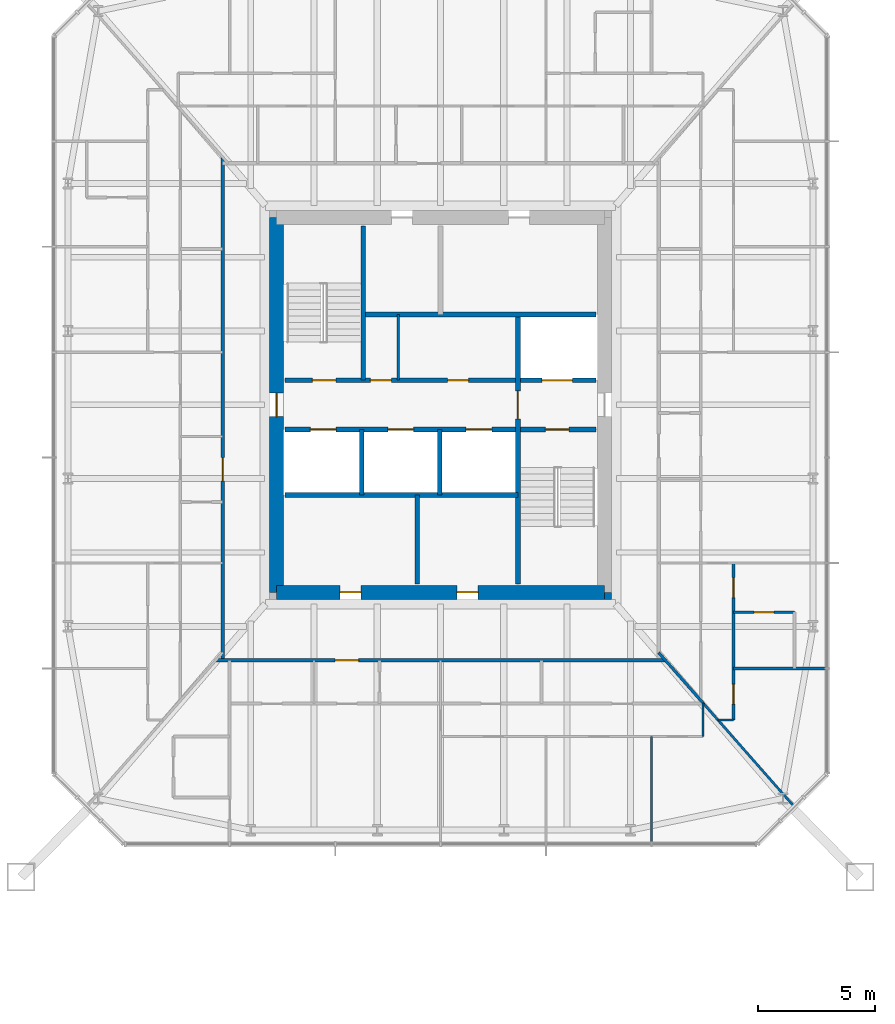
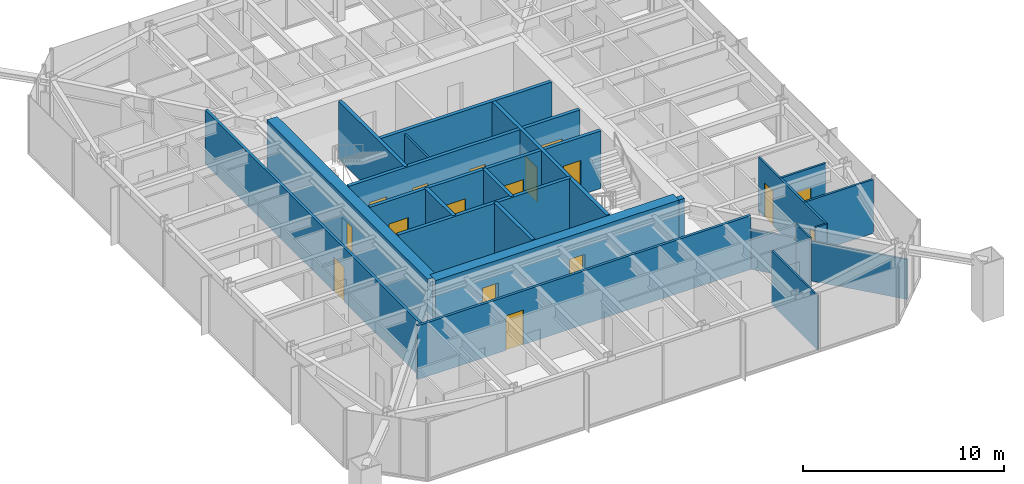
# One storey, part 19 of 26: 23 walls, 17 doors, 17 openings.
"""IFC4 building model written with IfcOpenShell, lengths in metres."""

from ifc_helpers import new_model, si_unit, direction, frame, frame_2d, origin, place, context, subcontext, project, spatial, rectangle, extrude, material, layer, layer_set, type_object, element, fill, save


model = new_model("IFC4")

# Units and contexts
model_context = context("Model", 3, precision=1e-05, world=origin(), true_north=direction((0.0, 1.0)))
body_context = subcontext(model_context, "Body", "Model", "MODEL_VIEW")
ifc_project = project(units=[si_unit("LENGTHUNIT", "METRE"), si_unit("AREAUNIT", "SQUARE_METRE"), si_unit("VOLUMEUNIT", "CUBIC_METRE"), si_unit("PLANEANGLEUNIT", "RADIAN"), si_unit("MASSUNIT", "GRAM", prefix="KILO")], contexts=[model_context])

# Site, building, storey
site_placement = place(None, origin())
site = spatial("IfcSite", under=ifc_project, at=site_placement, CompositionType="ELEMENT")
building_placement = place(site_placement, origin())
building = spatial("IfcBuilding", under=site, at=building_placement, Name="Iwan Alto Co-Living Towers", CompositionType="ELEMENT")
storey_placement = place(building_placement, frame((0.0, 0.0, 22.0)))
storey = spatial("IfcBuildingStorey", under=building, at=storey_placement, Name="L05", CompositionType="ELEMENT", Elevation=22.0)

# Wall, opening, door
ifc_material_1 = material(Name="Gypsum board")
ifc_layer_1 = layer(ifc_material_1, 0.02490234375, Name="Board", Category="Finish")
ifc_material_2 = material(Name="Steel ASTM A1003 ST33H cold-formed studs", Category="steel")
ifc_layer_2 = layer(ifc_material_2, 0.10009765625, Name="Studs", Category="Framing")
ifc_layer_3 = layer(ifc_material_1, 0.02490234375, Name="Board", Category="Finish")
ifc_layer_set_1 = layer_set([ifc_layer_1, ifc_layer_2, ifc_layer_3], Name="CORRIDOR WALL 150")
wall_type_1 = type_object("IfcWallType", Name="CORRIDOR WALL 150", PredefinedType="PARTITIONING", material=ifc_layer_set_1)
wall_1_placement = place(storey_placement, frame((53.407958984375, -10.89990234375, 0.0), z_axis=(0.0, 0.0, 1.0), x_axis=(1.0, 0.0, 0.0)))
wall_1 = element("IfcWall", 1, at=wall_1_placement, inside=storey, type_object=wall_type_1, Name="Partition L05", PredefinedType="PARTITIONING", context=body_context, shape_type="SweptSolid", body=[
    extrude(rectangle(XDim=19.18408203125, YDim=0.14990234375, at=frame_2d((9.592041015625, 0.0))), origin(), (0.0, 0.0, 1.0), 3.27001953125),
])
opening_1_placement = place(wall_1_placement, frame((5.092041015625, 0.0, 0.0)))
opening_1 = element("IfcOpeningElement", 2, at=opening_1_placement, cuts=wall_1, Name="Opening D3", PredefinedType="OPENING", context=body_context, shape_type="SweptSolid", body=[
    extrude(rectangle(XDim=1.0, YDim=2.10009765625, at=frame_2d((0.5, 1.050048828125))), frame((0.0, 0.0849609375, 0.0), z_axis=(0.0, -1.0, 0.0), x_axis=(1.0, 0.0, 0.0)), (0.0, 0.0, 1.0), 0.169921875),
])
ifc_material_3 = material(Name="Steel frame with timber leaf", Category="steel")
door_type_1 = type_object("IfcDoorType", Name="FLAT ENTRANCE DOOR FD30S 1000X2100", OperationType="SINGLE_SWING_LEFT", PredefinedType="DOOR", material=ifc_material_3)
door_1_placement = place(opening_1_placement, frame((1.0, 0.0, 0.0), z_axis=(0.0, 0.0, 1.0), x_axis=(-1.0, 0.0, 0.0)))
door_1 = element("IfcDoor", 3, at=door_1_placement, inside=storey, type_object=door_type_1, Name="Apartment foyer door L05", OperationType="SINGLE_SWING_RIGHT", OverallHeight=2.10009765625, OverallWidth=1.0, PredefinedType="DOOR", context=body_context, shape_type="SweptSolid", body=[
    extrude(rectangle(XDim=1.0, YDim=2.10009765625, at=frame_2d((0.5, 1.050048828125))), frame((0.0, 0.02490234375, 0.0), z_axis=(0.0, -1.0, 0.0), x_axis=(1.0, 0.0, 0.0)), (0.0, 0.0, 1.0), 0.050048828125),
])
fill(opening_1, door_1)

wall_2_placement = place(storey_placement, frame((53.699951171875, -10.89990234375, 0.0), z_axis=(0.0, 0.0, 1.0), x_axis=(0.0, 1.0, 0.0)))
wall_2 = element("IfcWall", 4, at=wall_2_placement, inside=storey, type_object=wall_type_1, Name="Partition L05", PredefinedType="PARTITIONING", context=body_context, shape_type="SweptSolid", body=[
    extrude(rectangle(XDim=21.468017578125, YDim=0.14990234375, at=frame_2d((10.73388671875, 0.0))), origin(), (0.0, 0.0, 1.0), 3.27001953125),
])
opening_2_placement = place(wall_2_placement, frame((7.64990234375, 0.0, 0.0)))
opening_2 = element("IfcOpeningElement", 5, at=opening_2_placement, cuts=wall_2, Name="Opening D3", PredefinedType="OPENING", context=body_context, shape_type="SweptSolid", body=[
    extrude(rectangle(XDim=1.0, YDim=2.10009765625, at=frame_2d((0.5, 1.050048828125))), frame((0.0, 0.0849609375, 0.0), z_axis=(0.0, -1.0, 0.0), x_axis=(1.0, 0.0, 0.0)), (0.0, 0.0, 1.0), 0.169921875),
])
door_2_placement = place(opening_2_placement, origin())
door_2 = element("IfcDoor", 6, at=door_2_placement, inside=storey, type_object=door_type_1, Name="Apartment foyer door L05", OperationType="SINGLE_SWING_LEFT", OverallHeight=2.10009765625, OverallWidth=1.0, PredefinedType="DOOR", context=body_context, shape_type="SweptSolid", body=[
    extrude(rectangle(XDim=1.0, YDim=2.10009765625, at=frame_2d((0.5, 1.050048828125))), frame((0.0, 0.02490234375, 0.0), z_axis=(0.0, -1.0, 0.0), x_axis=(1.0, 0.0, 0.0)), (0.0, 0.0, 1.0), 0.050048828125),
])
fill(opening_2, door_2)

# Walls
ifc_layer_4 = layer(ifc_material_1, 0.012451171875, Name="Board", Category="Finish")
ifc_layer_5 = layer(ifc_material_2, 0.074951171875, Name="Studs", Category="Framing")
ifc_layer_6 = layer(ifc_material_1, 0.012451171875, Name="Board", Category="Finish")
ifc_layer_set_2 = layer_set([ifc_layer_4, ifc_layer_5, ifc_layer_6], Name="PARTITION 100")
wall_type_2 = type_object("IfcWallType", Name="PARTITION 100", PredefinedType="PARTITIONING", material=ifc_layer_set_2)
wall_3_placement = place(storey_placement, frame((74.8359375, -13.449951171875, 0.0), z_axis=(0.0, 0.0, 1.0), x_axis=(1.0, 0.0, 0.0)))
element("IfcWall", 7, at=wall_3_placement, inside=storey, type_object=wall_type_2, Name="Partition L05", PredefinedType="PARTITIONING", context=body_context, shape_type="SweptSolid", body=[
    extrude(rectangle(XDim=0.6640625, YDim=0.10009765625, at=frame_2d((0.33203125, 0.0))), origin(), (0.0, 0.0, 1.0), 3.27001953125),
])
wall_4_placement = place(storey_placement, frame((74.199951171875, -14.14990234375, 0.0), z_axis=(0.0, 0.0, 1.0), x_axis=(0.0, 1.0, 0.0)))
element("IfcWall", 8, at=wall_4_placement, inside=storey, type_object=wall_type_2, Name="Partition L05", PredefinedType="PARTITIONING", context=body_context, shape_type="SweptSolid", body=[
    extrude(rectangle(XDim=1.4228515625, YDim=0.10009765625, at=frame_2d((0.71142578125, 0.0))), origin(), (0.0, 0.0, 1.0), 3.27001953125),
])
wall_5_placement = place(storey_placement, frame((72.0, -18.68994140625, 0.0), z_axis=(0.0, 0.0, 1.0), x_axis=(0.0, 1.0, 0.0)))
element("IfcWall", 9, at=wall_5_placement, inside=storey, type_object=wall_type_2, Name="Partition L05", PredefinedType="PARTITIONING", context=body_context, shape_type="SweptSolid", body=[
    extrude(rectangle(XDim=4.5400390625, YDim=0.10009765625, at=frame_2d((2.27001953125, 0.0))), origin(), (0.0, 0.0, 1.0), 3.27001953125),
])
wall_6_placement = place(storey_placement, frame((61.199951171875, 1.050048828125, 0.0), z_axis=(0.0, 0.0, 1.0), x_axis=(0.0, 1.0, 0.0)))
element("IfcWall", 10, at=wall_6_placement, inside=storey, type_object=wall_type_2, Name="Partition L05", PredefinedType="PARTITIONING", context=body_context, shape_type="SweptSolid", body=[
    extrude(rectangle(XDim=2.800048828125, YDim=0.10009765625, at=frame_2d((1.39990234375, 0.0))), origin(), (0.0, 0.0, 1.0), 3.300048828125),
])
wall_7_placement = place(storey_placement, frame((78.056640625, -17.109375, 0.0), z_axis=(0.0, 0.0, 1.0), x_axis=(-0.660654290516, 0.750690287951, 0.0)))
element("IfcWall", 11, at=wall_7_placement, inside=storey, type_object=wall_type_2, Name="Partition L05", PredefinedType="PARTITIONING", context=body_context, shape_type="SweptSolid", body=[
    extrude(rectangle(XDim=5.838134765625, YDim=0.10009765625, at=frame_2d((2.9189453125, 0.0))), origin(), (0.0, 0.0, 1.0), 2.42919921875),
])
ifc_material_4 = material(Name="Concrete f'c 70 MPa", Category="concrete")
ifc_layer_7 = layer(ifc_material_4, 0.199951171875)
ifc_layer_set_3 = layer_set([ifc_layer_7], Name="SHAFT WALL 200")
wall_type_3 = type_object("IfcWallType", Name="SHAFT WALL 200", PredefinedType="SOLIDWALL", material=ifc_layer_set_3)
wall_8_placement = place(storey_placement, frame((56.360107421875, -3.85009765625, 0.0), z_axis=(0.0, 0.0, 1.0), x_axis=(1.0, 0.0, 0.0)))
element("IfcWall", 12, at=wall_8_placement, inside=storey, type_object=wall_type_3, Name="Shaft wall L05", PredefinedType="SOLIDWALL", context=body_context, shape_type="SweptSolid", body=[
    extrude(rectangle(XDim=9.93994140625, YDim=0.199951171875, at=frame_2d((4.969970703125, 0.0))), origin(), (0.0, 0.0, 1.0), 3.5),
])

# Wall, openings, doors
wall_9_placement = place(storey_placement, frame((56.360107421875, -1.050048828125, 0.0), z_axis=(0.0, 0.0, 1.0), x_axis=(1.0, 0.0, 0.0)))
wall_9 = element("IfcWall", 13, at=wall_9_placement, inside=storey, type_object=wall_type_3, Name="Shaft wall L05", PredefinedType="SOLIDWALL", context=body_context, shape_type="SweptSolid", body=[
    extrude(rectangle(XDim=13.27978515625, YDim=0.199951171875, at=frame_2d((6.639892578125, 0.0))), origin(), (0.0, 0.0, 1.0), 3.5),
])
opening_3_placement = place(wall_9_placement, frame((11.110107421875, 0.0, 0.0)))
opening_3 = element("IfcOpeningElement", 14, at=opening_3_placement, cuts=wall_9, Name="Opening D5", PredefinedType="OPENING", context=body_context, shape_type="SweptSolid", body=[
    extrude(rectangle(XDim=1.0, YDim=2.10009765625, at=frame_2d((0.5, 1.050048828125))), frame((0.0, 0.10986328125, 0.0), z_axis=(0.0, -1.0, 0.0), x_axis=(1.0, 0.0, 0.0)), (0.0, 0.0, 1.0), 0.219970703125),
])
opening_4_placement = place(wall_9_placement, frame((1.0869140625, 0.0, 0.0)))
opening_4 = element("IfcOpeningElement", 15, at=opening_4_placement, cuts=wall_9, Name="Opening LD", PredefinedType="OPENING", context=body_context, shape_type="SweptSolid", body=[
    extrude(rectangle(XDim=1.10009765625, YDim=2.10009765625, at=frame_2d((0.550048828125, 1.050048828125))), frame((0.0, 0.10986328125, 0.0), z_axis=(0.0, -1.0, 0.0), x_axis=(1.0, 0.0, 0.0)), (0.0, 0.0, 1.0), 0.219970703125),
])
opening_5_placement = place(wall_9_placement, frame((4.389892578125, 0.0, 0.0)))
opening_5 = element("IfcOpeningElement", 16, at=opening_5_placement, cuts=wall_9, Name="Opening LD", PredefinedType="OPENING", context=body_context, shape_type="SweptSolid", body=[
    extrude(rectangle(XDim=1.10009765625, YDim=2.10009765625, at=frame_2d((0.550048828125, 1.050048828125))), frame((0.0, 0.10986328125, 0.0), z_axis=(0.0, -1.0, 0.0), x_axis=(1.0, 0.0, 0.0)), (0.0, 0.0, 1.0), 0.219970703125),
])
opening_6_placement = place(wall_9_placement, frame((7.72412109375, 0.0, 0.0)))
opening_6 = element("IfcOpeningElement", 17, at=opening_6_placement, cuts=wall_9, Name="Opening LD", PredefinedType="OPENING", context=body_context, shape_type="SweptSolid", body=[
    extrude(rectangle(XDim=1.10009765625, YDim=2.10009765625, at=frame_2d((0.550048828125, 1.050048828125))), frame((0.0, 0.10986328125, 0.0), z_axis=(0.0, -1.0, 0.0), x_axis=(1.0, 0.0, 0.0)), (0.0, 0.0, 1.0), 0.219970703125),
])
ifc_material_5 = material(Name="Steel frame with timber leaf", Category="steel")
door_type_2 = type_object("IfcDoorType", Name="LIFT LANDING DOOR 1100X2100", OperationType="DOUBLE_DOOR_SLIDING", PredefinedType="DOOR", material=ifc_material_5)
door_3_placement = place(opening_4_placement, origin())
door_3 = element("IfcDoor", 18, at=door_3_placement, inside=storey, type_object=door_type_2, Name="Lift P5-1 landing door L05", OperationType="DOUBLE_DOOR_SLIDING", OverallHeight=2.10009765625, OverallWidth=1.10009765625, PredefinedType="DOOR", context=body_context, shape_type="SweptSolid", body=[
    extrude(rectangle(XDim=1.10009765625, YDim=2.10009765625, at=frame_2d((0.550048828125, 1.050048828125))), frame((0.0, 0.02490234375, 0.0), z_axis=(0.0, -1.0, 0.0), x_axis=(1.0, 0.0, 0.0)), (0.0, 0.0, 1.0), 0.050048828125),
])
fill(opening_4, door_3)
door_4_placement = place(opening_5_placement, origin())
door_4 = element("IfcDoor", 19, at=door_4_placement, inside=storey, type_object=door_type_2, Name="Lift P5-2 landing door L05", OperationType="DOUBLE_DOOR_SLIDING", OverallHeight=2.10009765625, OverallWidth=1.10009765625, PredefinedType="DOOR", context=body_context, shape_type="SweptSolid", body=[
    extrude(rectangle(XDim=1.10009765625, YDim=2.10009765625, at=frame_2d((0.550048828125, 1.050048828125))), frame((0.0, 0.02490234375, 0.0), z_axis=(0.0, -1.0, 0.0), x_axis=(1.0, 0.0, 0.0)), (0.0, 0.0, 1.0), 0.050048828125),
])
fill(opening_5, door_4)
door_5_placement = place(opening_6_placement, origin())
door_5 = element("IfcDoor", 20, at=door_5_placement, inside=storey, type_object=door_type_2, Name="Lift P6-3 landing door L05", OperationType="DOUBLE_DOOR_SLIDING", OverallHeight=2.10009765625, OverallWidth=1.10009765625, PredefinedType="DOOR", context=body_context, shape_type="SweptSolid", body=[
    extrude(rectangle(XDim=1.10009765625, YDim=2.10009765625, at=frame_2d((0.550048828125, 1.050048828125))), frame((0.0, 0.02490234375, 0.0), z_axis=(0.0, -1.0, 0.0), x_axis=(1.0, 0.0, 0.0)), (0.0, 0.0, 1.0), 0.050048828125),
])
fill(opening_6, door_5)
ifc_material_6 = material(Name="Steel frame with timber leaf", Category="steel")
door_type_3 = type_object("IfcDoorType", Name="STAIR DOOR FD120S 1000X2100", OperationType="SINGLE_SWING_LEFT", PredefinedType="DOOR", material=ifc_material_6)
door_6_placement = place(opening_3_placement, frame((1.0, 0.0, 0.0), z_axis=(0.0, 0.0, 1.0), x_axis=(-1.0, 0.0, 0.0)))
door_6 = element("IfcDoor", 21, at=door_6_placement, inside=storey, type_object=door_type_3, Name="Stair S2 door L05", OperationType="SINGLE_SWING_RIGHT", OverallHeight=2.10009765625, OverallWidth=1.0, PredefinedType="DOOR", context=body_context, shape_type="SweptSolid", body=[
    extrude(rectangle(XDim=1.0, YDim=2.10009765625, at=frame_2d((0.5, 1.050048828125))), frame((0.0, 0.02490234375, 0.0), z_axis=(0.0, -1.0, 0.0), x_axis=(1.0, 0.0, 0.0)), (0.0, 0.0, 1.0), 0.050048828125),
])
fill(opening_3, door_6)

wall_10_placement = place(storey_placement, frame((56.360107421875, 1.050048828125, 0.0), z_axis=(0.0, 0.0, 1.0), x_axis=(1.0, 0.0, 0.0)))
wall_10 = element("IfcWall", 22, at=wall_10_placement, inside=storey, type_object=wall_type_3, Name="Shaft wall L05", PredefinedType="SOLIDWALL", context=body_context, shape_type="SweptSolid", body=[
    extrude(rectangle(XDim=13.27978515625, YDim=0.199951171875, at=frame_2d((6.639892578125, 0.0))), origin(), (0.0, 0.0, 1.0), 3.5),
])
opening_7_placement = place(wall_10_placement, frame((1.169921875, 0.0, 0.0)))
opening_7 = element("IfcOpeningElement", 23, at=opening_7_placement, cuts=wall_10, Name="Opening D5", PredefinedType="OPENING", context=body_context, shape_type="SweptSolid", body=[
    extrude(rectangle(XDim=1.0, YDim=2.10009765625, at=frame_2d((0.5, 1.050048828125))), frame((0.0, 0.10986328125, 0.0), z_axis=(0.0, -1.0, 0.0), x_axis=(1.0, 0.0, 0.0)), (0.0, 0.0, 1.0), 0.219970703125),
])
opening_8_placement = place(wall_10_placement, frame((6.93994140625, 0.0, 0.0)))
opening_8 = element("IfcOpeningElement", 24, at=opening_8_placement, cuts=wall_10, Name="Opening D8", PredefinedType="OPENING", context=body_context, shape_type="SweptSolid", body=[
    extrude(rectangle(XDim=0.89990234375, YDim=2.10009765625, at=frame_2d((0.449951171875, 1.050048828125))), frame((0.0, 0.10986328125, 0.0), z_axis=(0.0, -1.0, 0.0), x_axis=(1.0, 0.0, 0.0)), (0.0, 0.0, 1.0), 0.219970703125),
])
opening_9_placement = place(wall_10_placement, frame((3.639892578125, 0.0, 0.0)))
opening_9 = element("IfcOpeningElement", 25, at=opening_9_placement, cuts=wall_10, Name="Opening D15", PredefinedType="OPENING", context=body_context, shape_type="SweptSolid", body=[
    extrude(rectangle(XDim=0.89990234375, YDim=2.10009765625, at=frame_2d((0.449951171875, 1.050048828125))), frame((0.0, 0.10986328125, 0.0), z_axis=(0.0, -1.0, 0.0), x_axis=(1.0, 0.0, 0.0)), (0.0, 0.0, 1.0), 0.219970703125),
])
opening_10_placement = place(wall_10_placement, frame((10.9599609375, 0.0, 0.0)))
opening_10 = element("IfcOpeningElement", 26, at=opening_10_placement, cuts=wall_10, Name="Opening LD2", PredefinedType="OPENING", context=body_context, shape_type="SweptSolid", body=[
    extrude(rectangle(XDim=1.300048828125, YDim=2.10009765625, at=frame_2d((0.64990234375, 1.050048828125))), frame((0.0, 0.10986328125, 0.0), z_axis=(0.0, -1.0, 0.0), x_axis=(1.0, 0.0, 0.0)), (0.0, 0.0, 1.0), 0.219970703125),
])
ifc_material_7 = material(Name="Steel frame with timber leaf", Category="steel")
door_type_4 = type_object("IfcDoorType", Name="CORE ROOM DOOR FD60S 900X2100", OperationType="SINGLE_SWING_LEFT", PredefinedType="DOOR", material=ifc_material_7)
door_7_placement = place(opening_9_placement, origin())
door_7 = element("IfcDoor", 27, at=door_7_placement, inside=storey, type_object=door_type_4, Name="Cleaner's store door L05", OperationType="SINGLE_SWING_LEFT", OverallHeight=2.10009765625, OverallWidth=0.89990234375, PredefinedType="DOOR", context=body_context, shape_type="SweptSolid", body=[
    extrude(rectangle(XDim=0.89990234375, YDim=2.10009765625, at=frame_2d((0.449951171875, 1.050048828125))), frame((0.0, 0.02490234375, 0.0), z_axis=(0.0, -1.0, 0.0), x_axis=(1.0, 0.0, 0.0)), (0.0, 0.0, 1.0), 0.050048828125),
])
fill(opening_9, door_7)
ifc_material_8 = material(Name="Steel frame with timber leaf", Category="steel")
door_type_5 = type_object("IfcDoorType", Name="LIFT LANDING DOOR 1300X2100", OperationType="SLIDING_TO_LEFT", PredefinedType="DOOR", material=ifc_material_8)
door_8_placement = place(opening_10_placement, origin())
door_8 = element("IfcDoor", 28, at=door_8_placement, inside=storey, type_object=door_type_5, Name="Lift FL2 landing door L05", OperationType="SLIDING_TO_LEFT", OverallHeight=2.10009765625, OverallWidth=1.300048828125, PredefinedType="DOOR", context=body_context, shape_type="SweptSolid", body=[
    extrude(rectangle(XDim=1.300048828125, YDim=2.10009765625, at=frame_2d((0.64990234375, 1.050048828125))), frame((0.0, 0.02490234375, 0.0), z_axis=(0.0, -1.0, 0.0), x_axis=(1.0, 0.0, 0.0)), (0.0, 0.0, 1.0), 0.050048828125),
])
fill(opening_10, door_8)
ifc_material_9 = material(Name="Steel frame with timber leaf", Category="steel")
door_type_6 = type_object("IfcDoorType", Name="RISER DOOR FD120 900X2100", OperationType="SINGLE_SWING_LEFT", PredefinedType="DOOR", material=ifc_material_9)
door_9_placement = place(opening_8_placement, origin())
door_9 = element("IfcDoor", 29, at=door_9_placement, inside=storey, type_object=door_type_6, Name="Riser room door L05", OperationType="SINGLE_SWING_LEFT", OverallHeight=2.10009765625, OverallWidth=0.89990234375, PredefinedType="DOOR", context=body_context, shape_type="SweptSolid", body=[
    extrude(rectangle(XDim=0.89990234375, YDim=2.10009765625, at=frame_2d((0.449951171875, 1.050048828125))), frame((0.0, 0.02490234375, 0.0), z_axis=(0.0, -1.0, 0.0), x_axis=(1.0, 0.0, 0.0)), (0.0, 0.0, 1.0), 0.050048828125),
])
fill(opening_8, door_9)
door_10_placement = place(opening_7_placement, origin())
door_10 = element("IfcDoor", 30, at=door_10_placement, inside=storey, type_object=door_type_3, Name="Stair S1 door L05", OperationType="SINGLE_SWING_RIGHT", OverallHeight=2.10009765625, OverallWidth=1.0, PredefinedType="DOOR", context=body_context, shape_type="SweptSolid", body=[
    extrude(rectangle(XDim=1.0, YDim=2.10009765625, at=frame_2d((0.5, 1.050048828125))), frame((0.0, 0.02490234375, 0.0), z_axis=(0.0, -1.0, 0.0), x_axis=(1.0, 0.0, 0.0)), (0.0, 0.0, 1.0), 0.050048828125),
])
fill(opening_7, door_10)

# Wall
wall_11_placement = place(storey_placement, frame((59.699951171875, 3.85009765625, 0.0), z_axis=(0.0, 0.0, 1.0), x_axis=(1.0, 0.0, 0.0)))
element("IfcWall", 31, at=wall_11_placement, inside=storey, type_object=wall_type_3, Name="Shaft wall L05", PredefinedType="SOLIDWALL", context=body_context, shape_type="SweptSolid", body=[
    extrude(rectangle(XDim=9.93994140625, YDim=0.199951171875, at=frame_2d((4.969970703125, 0.0))), origin(), (0.0, 0.0, 1.0), 3.5),
])

# Wall, opening, door
wall_12_placement = place(storey_placement, frame((66.300048828125, -7.639892578125, 0.0), z_axis=(0.0, 0.0, 1.0), x_axis=(0.0, 1.0, 0.0)))
wall_12 = element("IfcWall", 32, at=wall_12_placement, inside=storey, type_object=wall_type_3, Name="Shaft wall L05", PredefinedType="SOLIDWALL", context=body_context, shape_type="SweptSolid", body=[
    extrude(rectangle(XDim=11.489990234375, YDim=0.199951171875, at=frame_2d((5.7451171875, 0.0))), origin(), (0.0, 0.0, 1.0), 3.5),
])
opening_11_placement = place(wall_12_placement, frame((7.0400390625, 0.0, 0.0)))
opening_11 = element("IfcOpeningElement", 33, at=opening_11_placement, cuts=wall_12, Name="Opening D6", PredefinedType="OPENING", context=body_context, shape_type="SweptSolid", body=[
    extrude(rectangle(XDim=1.199951171875, YDim=2.10009765625, at=frame_2d((0.60009765625, 1.050048828125))), frame((0.0, 0.10986328125, 0.0), z_axis=(0.0, -1.0, 0.0), x_axis=(1.0, 0.0, 0.0)), (0.0, 0.0, 1.0), 0.219970703125),
])
ifc_material_10 = material(Name="Steel frame with timber leaf", Category="steel")
door_type_7 = type_object("IfcDoorType", Name="LOBBY DOOR FD120S 1200X2100", OperationType="SINGLE_SWING_LEFT", PredefinedType="DOOR", material=ifc_material_10)
door_11_placement = place(opening_11_placement, frame((1.199951171875, 0.0, 0.0), z_axis=(0.0, 0.0, 1.0), x_axis=(-1.0, 0.0, 0.0)))
door_11 = element("IfcDoor", 34, at=door_11_placement, inside=storey, type_object=door_type_7, Name="Firefighting lobby door L05", OperationType="SINGLE_SWING_RIGHT", OverallHeight=2.10009765625, OverallWidth=1.199951171875, PredefinedType="DOOR", context=body_context, shape_type="SweptSolid", body=[
    extrude(rectangle(XDim=1.199951171875, YDim=2.10009765625, at=frame_2d((0.60009765625, 1.050048828125))), frame((0.0, 0.02490234375, 0.0), z_axis=(0.0, -1.0, 0.0), x_axis=(1.0, 0.0, 0.0)), (0.0, 0.0, 1.0), 0.050048828125),
])
fill(opening_11, door_11)

# Walls
wall_13_placement = place(storey_placement, frame((62.967041015625, -3.85009765625, 0.0), z_axis=(0.0, 0.0, 1.0), x_axis=(0.0, 1.0, 0.0)))
element("IfcWall", 35, at=wall_13_placement, inside=storey, type_object=wall_type_3, Name="Shaft wall L05", PredefinedType="SOLIDWALL", context=body_context, shape_type="SweptSolid", body=[
    extrude(rectangle(XDim=2.800048828125, YDim=0.199951171875, at=frame_2d((1.39990234375, 0.0))), origin(), (0.0, 0.0, 1.0), 3.5),
])
wall_14_placement = place(storey_placement, frame((62.0, -7.639892578125, 0.0), z_axis=(0.0, 0.0, 1.0), x_axis=(0.0, 1.0, 0.0)))
element("IfcWall", 36, at=wall_14_placement, inside=storey, type_object=wall_type_3, Name="Shaft wall L05", PredefinedType="SOLIDWALL", context=body_context, shape_type="SweptSolid", body=[
    extrude(rectangle(XDim=3.789794921875, YDim=0.199951171875, at=frame_2d((1.89501953125, 0.0))), origin(), (0.0, 0.0, 1.0), 3.5),
])
wall_15_placement = place(storey_placement, frame((59.699951171875, 1.050048828125, 0.0), z_axis=(0.0, 0.0, 1.0), x_axis=(0.0, 1.0, 0.0)))
element("IfcWall", 37, at=wall_15_placement, inside=storey, type_object=wall_type_3, Name="Shaft wall L05", PredefinedType="SOLIDWALL", context=body_context, shape_type="SweptSolid", body=[
    extrude(rectangle(XDim=6.58984375, YDim=0.199951171875, at=frame_2d((3.294921875, 0.0))), origin(), (0.0, 0.0, 1.0), 3.5),
])
wall_16_placement = place(storey_placement, frame((59.633056640625, -3.85009765625, 0.0), z_axis=(0.0, 0.0, 1.0), x_axis=(0.0, 1.0, 0.0)))
element("IfcWall", 38, at=wall_16_placement, inside=storey, type_object=wall_type_3, Name="Shaft wall L05", PredefinedType="SOLIDWALL", context=body_context, shape_type="SweptSolid", body=[
    extrude(rectangle(XDim=2.800048828125, YDim=0.199951171875, at=frame_2d((1.39990234375, 0.0))), origin(), (0.0, 0.0, 1.0), 3.5),
])
ifc_material_11 = material(Name="Concrete f'c 70 MPa", Category="concrete")
ifc_layer_8 = layer(ifc_material_11, 0.300048828125)
ifc_layer_set_4 = layer_set([ifc_layer_8], Name="T2 CORE CORNER FILL 300")
wall_type_4 = type_object("IfcWallType", Name="T2 CORE CORNER FILL 300", PredefinedType="SOLIDWALL", material=ifc_layer_set_4)
wall_17_placement = place(storey_placement, frame((70.0, -8.14990234375, 0.0), z_axis=(0.0, 0.0, 1.0), x_axis=(1.0, 0.0, 0.0)))
element("IfcWall", 39, at=wall_17_placement, inside=storey, type_object=wall_type_4, Name="T2 core corner SE L05", PredefinedType="SOLIDWALL", context=body_context, shape_type="SweptSolid", body=[
    extrude(rectangle(XDim=0.300048828125, YDim=0.300048828125, at=frame_2d((0.14990234375, 0.0))), origin(), (0.0, 0.0, 1.0), 3.5),
])

# Wall, openings, doors
ifc_material_12 = material(Name="Concrete f'c 70 MPa", Category="concrete")
ifc_layer_9 = layer(ifc_material_12, 0.60009765625)
ifc_layer_set_5 = layer_set([ifc_layer_9], Name="T2 CORE WALL 600")
wall_type_5 = type_object("IfcWallType", Name="T2 CORE WALL 600", PredefinedType="SHEAR", material=ifc_layer_set_5)
wall_18_placement = place(storey_placement, frame((56.0, -8.0, 0.0), z_axis=(0.0, 0.0, 1.0), x_axis=(1.0, 0.0, 0.0)))
wall_18 = element("IfcWall", 40, at=wall_18_placement, inside=storey, type_object=wall_type_5, Name="T2 core wall S L05", PredefinedType="SHEAR", context=body_context, shape_type="SweptSolid", body=[
    extrude(rectangle(XDim=14.0, YDim=0.60009765625, at=frame_2d((7.0, 0.0))), origin(), (0.0, 0.0, 1.0), 3.5),
])
opening_12_placement = place(wall_18_placement, frame((2.699951171875, 0.0, 0.0)))
opening_12 = element("IfcOpeningElement", 41, at=opening_12_placement, cuts=wall_18, Name="Opening D8", PredefinedType="OPENING", context=body_context, shape_type="SweptSolid", body=[
    extrude(rectangle(XDim=0.89990234375, YDim=2.10009765625, at=frame_2d((0.449951171875, 1.050048828125))), frame((0.0, 0.31005859375, 0.0), z_axis=(0.0, -1.0, 0.0), x_axis=(1.0, 0.0, 0.0)), (0.0, 0.0, 1.0), 0.6201171875),
])
opening_13_placement = place(wall_18_placement, frame((7.699951171875, 0.0, 0.0)))
opening_13 = element("IfcOpeningElement", 42, at=opening_13_placement, cuts=wall_18, Name="Opening D8", PredefinedType="OPENING", context=body_context, shape_type="SweptSolid", body=[
    extrude(rectangle(XDim=0.89990234375, YDim=2.10009765625, at=frame_2d((0.449951171875, 1.050048828125))), frame((0.0, 0.31005859375, 0.0), z_axis=(0.0, -1.0, 0.0), x_axis=(1.0, 0.0, 0.0)), (0.0, 0.0, 1.0), 0.6201171875),
])
door_12_placement = place(opening_12_placement, origin())
door_12 = element("IfcDoor", 43, at=door_12_placement, inside=storey, type_object=door_type_6, Name="Refuse room core door L05", OperationType="SINGLE_SWING_LEFT", OverallHeight=2.10009765625, OverallWidth=0.89990234375, PredefinedType="DOOR", context=body_context, shape_type="SweptSolid", body=[
    extrude(rectangle(XDim=0.89990234375, YDim=2.10009765625, at=frame_2d((0.449951171875, 1.050048828125))), frame((0.0, 0.02490234375, 0.0), z_axis=(0.0, -1.0, 0.0), x_axis=(1.0, 0.0, 0.0)), (0.0, 0.0, 1.0), 0.050048828125),
])
fill(opening_12, door_12)
door_13_placement = place(opening_13_placement, origin())
door_13 = element("IfcDoor", 44, at=door_13_placement, inside=storey, type_object=door_type_6, Name="Telecom riser core door L05", OperationType="SINGLE_SWING_LEFT", OverallHeight=2.10009765625, OverallWidth=0.89990234375, PredefinedType="DOOR", context=body_context, shape_type="SweptSolid", body=[
    extrude(rectangle(XDim=0.89990234375, YDim=2.10009765625, at=frame_2d((0.449951171875, 1.050048828125))), frame((0.0, 0.02490234375, 0.0), z_axis=(0.0, -1.0, 0.0), x_axis=(1.0, 0.0, 0.0)), (0.0, 0.0, 1.0), 0.050048828125),
])
fill(opening_13, door_13)

# Wall, opening, door
wall_19_placement = place(storey_placement, frame((56.0, 8.0, 0.0), z_axis=(0.0, 0.0, 1.0), x_axis=(0.0, -1.0, 0.0)))
wall_19 = element("IfcWall", 45, at=wall_19_placement, inside=storey, type_object=wall_type_5, Name="T2 core wall W L05", PredefinedType="SHEAR", context=body_context, shape_type="SweptSolid", body=[
    extrude(rectangle(XDim=16.0, YDim=0.60009765625, at=frame_2d((8.0, 0.0))), origin(), (0.0, 0.0, 1.0), 3.5),
])
opening_14_placement = place(wall_19_placement, frame((7.5, 0.0, 0.0)))
opening_14 = element("IfcOpeningElement", 46, at=opening_14_placement, cuts=wall_19, Name="Opening D7", PredefinedType="OPENING", context=body_context, shape_type="SweptSolid", body=[
    extrude(rectangle(XDim=1.0, YDim=2.10009765625, at=frame_2d((0.5, 1.050048828125))), frame((0.0, 0.31005859375, 0.0), z_axis=(0.0, -1.0, 0.0), x_axis=(1.0, 0.0, 0.0)), (0.0, 0.0, 1.0), 0.6201171875),
])
ifc_material_13 = material(Name="Steel frame with timber leaf", Category="steel")
door_type_8 = type_object("IfcDoorType", Name="CORE DOOR FD120S 1000X2100", OperationType="SINGLE_SWING_LEFT", PredefinedType="DOOR", material=ifc_material_13)
door_14_placement = place(opening_14_placement, origin())
door_14 = element("IfcDoor", 47, at=door_14_placement, inside=storey, type_object=door_type_8, Name="Lift lobby core door L05", OperationType="SINGLE_SWING_RIGHT", OverallHeight=2.10009765625, OverallWidth=1.0, PredefinedType="DOOR", context=body_context, shape_type="SweptSolid", body=[
    extrude(rectangle(XDim=1.0, YDim=2.10009765625, at=frame_2d((0.5, 1.050048828125))), frame((0.0, 0.02490234375, 0.0), z_axis=(0.0, -1.0, 0.0), x_axis=(1.0, 0.0, 0.0)), (0.0, 0.0, 1.0), 0.050048828125),
])
fill(opening_14, door_14)

# Wall
ifc_material_14 = material(Name="Cement board")
ifc_layer_10 = layer(ifc_material_14, 0.012451171875, Name="Board", Category="Finish")
ifc_layer_11 = layer(ifc_material_2, 0.094970703125, Name="Studs", Category="Framing")
ifc_layer_12 = layer(ifc_material_14, 0.012451171875, Name="Board", Category="Finish")
ifc_layer_set_6 = layer_set([ifc_layer_10, ifc_layer_11, ifc_layer_12], Name="WET AREA PARTITION 120")
wall_type_6 = type_object("IfcWallType", Name="WET AREA PARTITION 120", PredefinedType="PARTITIONING", material=ifc_layer_set_6)
wall_20_placement = place(storey_placement, frame((75.5, -11.25, 0.0), z_axis=(0.0, 0.0, 1.0), x_axis=(1.0, 0.0, 0.0)))
element("IfcWall", 48, at=wall_20_placement, inside=storey, type_object=wall_type_6, Name="Partition L05", PredefinedType="PARTITIONING", context=body_context, shape_type="SweptSolid", body=[
    extrude(rectangle(XDim=3.93994140625, YDim=0.1201171875, at=frame_2d((1.969970703125, 0.0))), origin(), (0.0, 0.0, 1.0), 3.27001953125),
])

# Wall, opening, door
wall_21_placement = place(storey_placement, frame((75.5, -8.85009765625, 0.0), z_axis=(0.0, 0.0, 1.0), x_axis=(1.0, 0.0, 0.0)))
wall_21 = element("IfcWall", 49, at=wall_21_placement, inside=storey, type_object=wall_type_6, Name="Partition L05", PredefinedType="PARTITIONING", context=body_context, shape_type="SweptSolid", body=[
    extrude(rectangle(XDim=2.60009765625, YDim=0.1201171875, at=frame_2d((1.300048828125, 0.0))), origin(), (0.0, 0.0, 1.0), 3.27001953125),
])
opening_15_placement = place(wall_21_placement, frame((0.875, 0.0, 0.0)))
opening_15 = element("IfcOpeningElement", 50, at=opening_15_placement, cuts=wall_21, Name="Opening D2", PredefinedType="OPENING", context=body_context, shape_type="SweptSolid", body=[
    extrude(rectangle(XDim=0.85009765625, YDim=2.10009765625, at=frame_2d((0.425048828125, 1.050048828125))), frame((0.0, 0.070068359375, 0.0), z_axis=(0.0, -1.0, 0.0), x_axis=(1.0, 0.0, 0.0)), (0.0, 0.0, 1.0), 0.14013671875),
])
ifc_material_15 = material(Name="Timber leaf in steel frame", Category="steel")
door_type_9 = type_object("IfcDoorType", Name="ROOM DOOR 850X2100", OperationType="SINGLE_SWING_LEFT", PredefinedType="DOOR", material=ifc_material_15)
door_15_placement = place(opening_15_placement, origin())
door_15 = element("IfcDoor", 51, at=door_15_placement, inside=storey, type_object=door_type_9, Name="En-suite shower room door L05", OperationType="SINGLE_SWING_LEFT", OverallHeight=2.10009765625, OverallWidth=0.85009765625, PredefinedType="DOOR", context=body_context, shape_type="SweptSolid", body=[
    extrude(rectangle(XDim=0.85009765625, YDim=2.10009765625, at=frame_2d((0.425048828125, 1.050048828125))), frame((0.0, 0.02490234375, 0.0), z_axis=(0.0, -1.0, 0.0), x_axis=(1.0, 0.0, 0.0)), (0.0, 0.0, 1.0), 0.050048828125),
])
fill(opening_15, door_15)

# Wall, openings, doors
wall_22_placement = place(storey_placement, frame((75.5, -13.449951171875, 0.0), z_axis=(0.0, 0.0, 1.0), x_axis=(0.0, 1.0, 0.0)))
wall_22 = element("IfcWall", 52, at=wall_22_placement, inside=storey, type_object=wall_type_6, Name="Partition L05", PredefinedType="PARTITIONING", context=body_context, shape_type="SweptSolid", body=[
    extrude(rectangle(XDim=6.699951171875, YDim=0.1201171875, at=frame_2d((3.35009765625, 0.0))), origin(), (0.0, 0.0, 1.0), 3.27001953125),
])
opening_16_placement = place(wall_22_placement, frame((5.22509765625, 0.0, 0.0)))
opening_16 = element("IfcOpeningElement", 53, at=opening_16_placement, cuts=wall_22, Name="Opening D2", PredefinedType="OPENING", context=body_context, shape_type="SweptSolid", body=[
    extrude(rectangle(XDim=0.85009765625, YDim=2.10009765625, at=frame_2d((0.425048828125, 1.050048828125))), frame((0.0, 0.070068359375, 0.0), z_axis=(0.0, -1.0, 0.0), x_axis=(1.0, 0.0, 0.0)), (0.0, 0.0, 1.0), 0.14013671875),
])
opening_17_placement = place(wall_22_placement, frame((0.675048828125, 0.0, 0.0)))
opening_17 = element("IfcOpeningElement", 54, at=opening_17_placement, cuts=wall_22, Name="Opening D2", PredefinedType="OPENING", context=body_context, shape_type="SweptSolid", body=[
    extrude(rectangle(XDim=0.85009765625, YDim=2.10009765625, at=frame_2d((0.425048828125, 1.050048828125))), frame((0.0, 0.070068359375, 0.0), z_axis=(0.0, -1.0, 0.0), x_axis=(1.0, 0.0, 0.0)), (0.0, 0.0, 1.0), 0.14013671875),
])
door_16_placement = place(opening_16_placement, frame((0.85009765625, 0.0, 0.0), z_axis=(0.0, 0.0, 1.0), x_axis=(-1.0, 0.0, 0.0)))
door_16 = element("IfcDoor", 55, at=door_16_placement, inside=storey, type_object=door_type_9, Name="Bedroom door L05", OperationType="SINGLE_SWING_RIGHT", OverallHeight=2.10009765625, OverallWidth=0.85009765625, PredefinedType="DOOR", context=body_context, shape_type="SweptSolid", body=[
    extrude(rectangle(XDim=0.85009765625, YDim=2.10009765625, at=frame_2d((0.425048828125, 1.050048828125))), frame((0.0, 0.02490234375, 0.0), z_axis=(0.0, -1.0, 0.0), x_axis=(1.0, 0.0, 0.0)), (0.0, 0.0, 1.0), 0.050048828125),
])
fill(opening_16, door_16)
door_17_placement = place(opening_17_placement, frame((0.85009765625, 0.0, 0.0), z_axis=(0.0, 0.0, 1.0), x_axis=(-1.0, 0.0, 0.0)))
door_17 = element("IfcDoor", 56, at=door_17_placement, inside=storey, type_object=door_type_9, Name="Bedroom door L05", OperationType="SINGLE_SWING_LEFT", OverallHeight=2.10009765625, OverallWidth=0.85009765625, PredefinedType="DOOR", context=body_context, shape_type="SweptSolid", body=[
    extrude(rectangle(XDim=0.85009765625, YDim=2.10009765625, at=frame_2d((0.425048828125, 1.050048828125))), frame((0.0, 0.02490234375, 0.0), z_axis=(0.0, -1.0, 0.0), x_axis=(1.0, 0.0, 0.0)), (0.0, 0.0, 1.0), 0.050048828125),
])
fill(opening_17, door_17)

# Wall
wall_23_placement = place(storey_placement, frame((74.199951171875, -12.72705078125, 0.0), z_axis=(0.0, 0.0, 1.0), x_axis=(-0.66059344937, 0.75074382758, 0.0)))
element("IfcWall", 57, at=wall_23_placement, inside=storey, type_object=wall_type_6, Name="Partition L05", PredefinedType="PARTITIONING", context=body_context, shape_type="SweptSolid", body=[
    extrude(rectangle(XDim=2.8759765625, YDim=0.1201171875, at=frame_2d((1.43798828125, 0.0))), origin(), (0.0, 0.0, 1.0), 2.42919921875),
])

save(model, "model.ifc")
